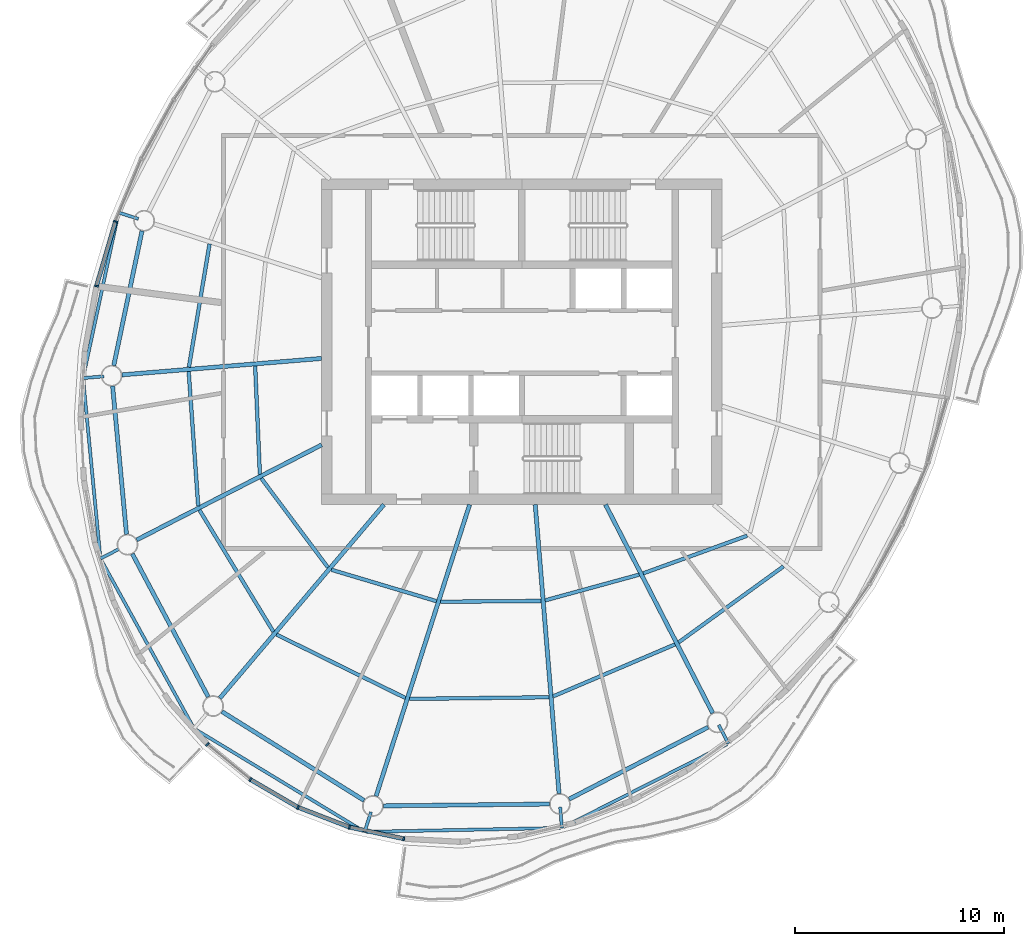
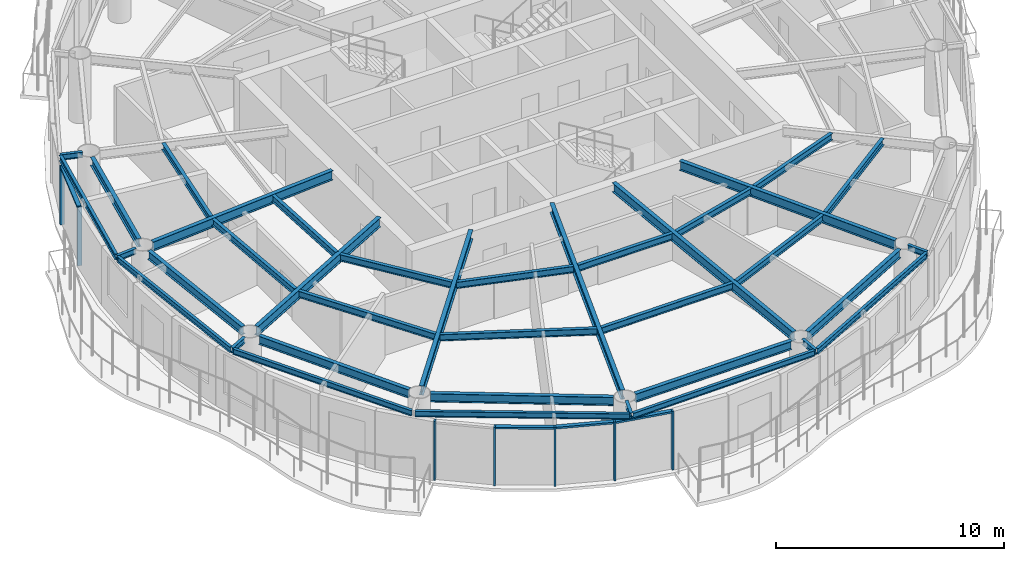
# One storey, part 2 of 13: 37 beams, 11 members, 5 elements without a shape of their own.
"""IFC4 building model written with IfcOpenShell, lengths in metres."""

from ifc_helpers import new_model, si_unit, direction, frame, origin, origin_2d, place, context, subcontext, project, spatial, rectangle, i_section, extrude, material, material_profile, profile_set, type_object, element, aggregate, save


model = new_model("IFC4")

# Units and contexts
model_context = context("Model", 3, precision=1e-05, world=origin(), true_north=direction((0.0, 1.0)))
body_context = subcontext(model_context, "Body", "Model", "MODEL_VIEW")
ifc_project = project(units=[si_unit("LENGTHUNIT", "METRE"), si_unit("AREAUNIT", "SQUARE_METRE"), si_unit("VOLUMEUNIT", "CUBIC_METRE"), si_unit("PLANEANGLEUNIT", "RADIAN"), si_unit("MASSUNIT", "GRAM", prefix="KILO")], contexts=[model_context])

# Site, building, storey
site_placement = place(None, origin())
site = spatial("IfcSite", under=ifc_project, at=site_placement, CompositionType="ELEMENT")
building_placement = place(site_placement, origin())
building = spatial("IfcBuilding", under=site, at=building_placement, Name="Vermilion Reach Broadcast Tower", CompositionType="ELEMENT")
storey_placement = place(building_placement, frame((0.0, 0.0, 290.10009765625)))
storey = spatial("IfcBuildingStorey", under=building, at=storey_placement, Name="L72", CompositionType="ELEMENT", Elevation=290.10009765625)

# Beams
ifc_material_1 = material(Name="Steel S355J2", Category="steel")
ifc_material_profile_1 = material_profile(ifc_material_1, i_section(OverallWidth=0.14990234375, OverallDepth=0.300048828125, WebThickness=0.006591796875, FlangeThickness=0.009033203125, at=origin_2d()), Name="S355J2 HN 300x150x6.5x9")
ifc_profile_set_1 = profile_set([ifc_material_profile_1], Name="Steel S355J2")
beam_type_1 = type_object("IfcBeamType", Name="EB5 HN 300x150x6.5x9", PredefinedType="BEAM", material=ifc_profile_set_1)
beam_1_placement = place(storey_placement, frame((-25.348876953125, 6.129638671875, 3.2998046875), z_axis=(-0.209851505921, -0.977733269078, 0.0), x_axis=(0.977733269078, -0.209851505921, 0.0)))
element("IfcBeam", 1, at=beam_1_placement, inside=storey, type_object=beam_type_1, Name="Edge beam EB5-05", PredefinedType="BEAM", context=body_context, shape_type="SweptSolid", body=[
    extrude(i_section(OverallWidth=0.14990234375, OverallDepth=0.300048828125, WebThickness=0.006591796875, FlangeThickness=0.009033203125, at=origin_2d()), origin(), (0.0, 0.0, 1.0), 7.96337890625),
])
beam_2_placement = place(storey_placement, frame((-27.029052734375, -1.807861328125, 3.2998046875), z_axis=(0.095933067862, -0.995387786991, 0.0), x_axis=(0.995387786991, 0.095933067862, 0.0)))
element("IfcBeam", 2, at=beam_2_placement, inside=storey, type_object=beam_type_1, Name="Edge beam EB5-06", PredefinedType="BEAM", context=body_context, shape_type="SweptSolid", body=[
    extrude(i_section(OverallWidth=0.14990234375, OverallDepth=0.300048828125, WebThickness=0.006591796875, FlangeThickness=0.009033203125, at=origin_2d()), origin(), (0.0, 0.0, 1.0), 8.5380859375),
])
beam_3_placement = place(storey_placement, frame((-26.166015625, -10.45263671875, 3.2998046875), z_axis=(0.482546675149, -0.875870256546, 0.0), x_axis=(0.875870256546, 0.482546675149, 0.0)))
element("IfcBeam", 3, at=beam_3_placement, inside=storey, type_object=beam_type_1, Name="Edge beam EB5-07", PredefinedType="BEAM", context=body_context, shape_type="SweptSolid", body=[
    extrude(i_section(OverallWidth=0.14990234375, OverallDepth=0.300048828125, WebThickness=0.006591796875, FlangeThickness=0.009033203125, at=origin_2d()), origin(), (0.0, 0.0, 1.0), 9.1474609375),
])
beam_4_placement = place(storey_placement, frame((-21.648193359375, -18.57421875, 3.2998046875), z_axis=(0.855309714799, -0.51811706377, 0.0), x_axis=(0.51811706377, 0.855309714799, 0.0)))
element("IfcBeam", 4, at=beam_4_placement, inside=storey, type_object=beam_type_1, Name="Edge beam EB5-08", PredefinedType="BEAM", context=body_context, shape_type="SweptSolid", body=[
    extrude(i_section(OverallWidth=0.14990234375, OverallDepth=0.300048828125, WebThickness=0.006591796875, FlangeThickness=0.009033203125, at=origin_2d()), origin(), (0.0, 0.0, 1.0), 9.40673828125),
])
beam_5_placement = place(storey_placement, frame((-13.457275390625, -23.486328125, 3.2998046875), z_axis=(0.999802674482, 0.01986484579, 0.0), x_axis=(-0.01986484579, 0.999802674482, 0.0)))
element("IfcBeam", 5, at=beam_5_placement, inside=storey, type_object=beam_type_1, Name="Edge beam EB5-09", PredefinedType="BEAM", context=body_context, shape_type="SweptSolid", body=[
    extrude(i_section(OverallWidth=0.14990234375, OverallDepth=0.300048828125, WebThickness=0.006591796875, FlangeThickness=0.009033203125, at=origin_2d()), origin(), (0.0, 0.0, 1.0), 9.3037109375),
])
beam_6_placement = place(storey_placement, frame((-4.008056640625, -23.263427734375, 3.2998046875), z_axis=(0.891880011137, 0.452272092588, 0.0), x_axis=(-0.452272092588, 0.891880011137, 0.0)))
element("IfcBeam", 6, at=beam_6_placement, inside=storey, type_object=beam_type_1, Name="Edge beam EB5-10", PredefinedType="BEAM", context=body_context, shape_type="SweptSolid", body=[
    extrude(i_section(OverallWidth=0.14990234375, OverallDepth=0.300048828125, WebThickness=0.006591796875, FlangeThickness=0.009033203125, at=origin_2d()), origin(), (0.0, 0.0, 1.0), 8.790771484375),
])
ifc_material_2 = material(Name="Steel S355J2", Category="steel")
ifc_material_profile_2 = material_profile(ifc_material_2, i_section(OverallWidth=0.199951171875, OverallDepth=0.5, WebThickness=0.010009765625, FlangeThickness=0.01611328125, at=origin_2d()), Name="S355J2 HN 500x200x10x16")
ifc_profile_set_2 = profile_set([ifc_material_profile_2], Name="Steel S355J2")
beam_type_2 = type_object("IfcBeamType", Name="G5 HN 500x200x10x16", PredefinedType="BEAM", material=ifc_profile_set_2)
beam_7_placement = place(storey_placement, frame((-15.60009765625, -0.791015625, 3.199951171875), z_axis=(-0.996624410075, -0.082096195058, 0.0), x_axis=(0.082096195058, -0.996624410075, 0.0)))
element("IfcBeam", 7, at=beam_7_placement, inside=storey, type_object=beam_type_2, Name="Girder G5-06", PredefinedType="BEAM", context=body_context, shape_type="SweptSolid", body=[
    extrude(i_section(OverallWidth=0.199951171875, OverallDepth=0.5, WebThickness=0.010009765625, FlangeThickness=0.01611328125, at=origin_2d()), origin(), (0.0, 0.0, 1.0), 9.599609375),
])
beam_8_placement = place(storey_placement, frame((-15.60009765625, -4.935791015625, 3.199951171875), z_axis=(-0.889332502449, -0.457261085254, 0.0), x_axis=(0.457261085254, -0.889332502449, 0.0)))
element("IfcBeam", 8, at=beam_8_placement, inside=storey, type_object=beam_type_2, Name="Girder G5-07", PredefinedType="BEAM", context=body_context, shape_type="SweptSolid", body=[
    extrude(i_section(OverallWidth=0.199951171875, OverallDepth=0.5, WebThickness=0.010009765625, FlangeThickness=0.01611328125, at=origin_2d()), origin(), (0.0, 0.0, 1.0), 9.96337890625),
])
beam_9_placement = place(storey_placement, frame((-12.612548828125, -7.800048828125, 3.199951171875), z_axis=(-0.646658335602, -0.762779782766, 0.0), x_axis=(0.762779782766, -0.646658335602, 0.0)))
element("IfcBeam", 9, at=beam_9_placement, inside=storey, type_object=beam_type_2, Name="Girder G5-08", PredefinedType="BEAM", context=body_context, shape_type="SweptSolid", body=[
    extrude(i_section(OverallWidth=0.199951171875, OverallDepth=0.5, WebThickness=0.010009765625, FlangeThickness=0.01611328125, at=origin_2d()), origin(), (0.0, 0.0, 1.0), 12.16064453125),
])
beam_10_placement = place(storey_placement, frame((-8.502685546875, -7.800048828125, 3.199951171875), z_axis=(-0.305545401295, -0.952177508528, 0.0), x_axis=(0.952177508528, -0.305545401295, 0.0)))
element("IfcBeam", 10, at=beam_10_placement, inside=storey, type_object=beam_type_2, Name="Girder G5-09", PredefinedType="BEAM", context=body_context, shape_type="SweptSolid", body=[
    extrude(i_section(OverallWidth=0.199951171875, OverallDepth=0.5, WebThickness=0.010009765625, FlangeThickness=0.01611328125, at=origin_2d()), origin(), (0.0, 0.0, 1.0), 14.672607421875),
])
beam_11_placement = place(storey_placement, frame((-5.357421875, -7.800048828125, 3.199951171875), z_axis=(0.082123744247, -0.996622140347, 0.0), x_axis=(0.996622140347, 0.082123744247, 0.0)))
element("IfcBeam", 11, at=beam_11_placement, inside=storey, type_object=beam_type_2, Name="Girder G5-10", PredefinedType="BEAM", context=body_context, shape_type="SweptSolid", body=[
    extrude(i_section(OverallWidth=0.199951171875, OverallDepth=0.5, WebThickness=0.010009765625, FlangeThickness=0.01611328125, at=origin_2d()), origin(), (0.0, 0.0, 1.0), 13.89794921875),
])
beam_12_placement = place(storey_placement, frame((-1.989501953125, -7.800048828125, 3.199951171875), z_axis=(0.457258168112, -0.889334002327, 0.0), x_axis=(0.889334002327, 0.457258168112, 0.0)))
element("IfcBeam", 12, at=beam_12_placement, inside=storey, type_object=beam_type_2, Name="Girder G5-11", PredefinedType="BEAM", context=body_context, shape_type="SweptSolid", body=[
    extrude(i_section(OverallWidth=0.199951171875, OverallDepth=0.5, WebThickness=0.010009765625, FlangeThickness=0.01611328125, at=origin_2d()), origin(), (0.0, 0.0, 1.0), 11.236328125),
])
ifc_material_3 = material(Name="Steel S355J2", Category="steel")
ifc_material_profile_3 = material_profile(ifc_material_3, i_section(OverallWidth=0.14990234375, OverallDepth=0.300048828125, WebThickness=0.006591796875, FlangeThickness=0.009033203125, at=origin_2d()), Name="S355J2 HN 300x150x6.5x9")
ifc_profile_set_3 = profile_set([ifc_material_profile_3], Name="Steel S355J2")
beam_type_3 = type_object("IfcBeamType", Name="GS5 HN 300x150x6.5x9", PredefinedType="BEAM", material=ifc_profile_set_3)
for number, where, z_axis, x_axis, name in (
    (13, (-24.380859375, 5.89794921875, 3.2998046875), (-0.952211297084, 0.305440085295, 0.0), (-0.305440085295, -0.952211297084, 0.0), "Cantilever stub GS5-05"),
    (14, (-26.039794921875, -1.651123046875, 3.2998046875), (-0.996629436565, -0.082035152054, 0.0), (0.082035152054, -0.996629436565, 0.0), "Cantilever stub GS5-06"),
):
    element("IfcBeam", number, at=place(storey_placement, frame(where, z_axis=z_axis, x_axis=x_axis)), inside=storey, type_object=beam_type_3, Name=name, PredefinedType="BEAM", context=body_context, shape_type="SweptSolid", body=[
        extrude(i_section(OverallWidth=0.14990234375, OverallDepth=0.300048828125, WebThickness=0.006591796875, FlangeThickness=0.009033203125, at=origin_2d()), origin(), (0.0, 0.0, 1.0), 1.0),
    ])
beam_13_placement = place(storey_placement, frame((-25.31298828125, -9.9296875, 3.2998046875), z_axis=(-0.889290639729, -0.457342495391, 0.0), x_axis=(0.457342495391, -0.889290639729, 0.0)))
element("IfcBeam", 15, at=beam_13_placement, inside=storey, type_object=beam_type_3, Name="Cantilever stub GS5-07", PredefinedType="BEAM", context=body_context, shape_type="SweptSolid", body=[
    extrude(i_section(OverallWidth=0.14990234375, OverallDepth=0.300048828125, WebThickness=0.006591796875, FlangeThickness=0.009033203125, at=origin_2d()), origin(), (0.0, 0.0, 1.0), 0.999755859375),
])
beam_14_placement = place(storey_placement, frame((-13.231201171875, -22.53564453125, 3.2998046875), z_axis=(-0.305369089551, -0.952234067416, 0.0), x_axis=(0.952234067416, -0.305369089551, 0.0)))
element("IfcBeam", 16, at=beam_14_placement, inside=storey, type_object=beam_type_3, Name="Cantilever stub GS5-09", PredefinedType="BEAM", context=body_context, shape_type="SweptSolid", body=[
    extrude(i_section(OverallWidth=0.14990234375, OverallDepth=0.300048828125, WebThickness=0.006591796875, FlangeThickness=0.009033203125, at=origin_2d()), origin(), (0.0, 0.0, 1.0), 1.000244140625),
])
for number, where, z_axis, x_axis, name in (
    (17, (-4.162353515625, -22.303466796875, 3.2998046875), (0.082035152054, -0.996629436565, 0.0), (0.996629436565, 0.082035152054, 0.0), "Cantilever stub GS5-10"),
    (18, (3.442138671875, -18.3642578125, 3.2998046875), (0.457050088444, -0.889440957373, 0.0), (0.889440957373, 0.457050088444, 0.0), "Cantilever stub GS5-11"),
):
    element("IfcBeam", number, at=place(storey_placement, frame(where, z_axis=z_axis, x_axis=x_axis)), inside=storey, type_object=beam_type_3, Name=name, PredefinedType="BEAM", context=body_context, shape_type="SweptSolid", body=[
        extrude(i_section(OverallWidth=0.14990234375, OverallDepth=0.300048828125, WebThickness=0.006591796875, FlangeThickness=0.009033203125, at=origin_2d()), origin(), (0.0, 0.0, 1.0), 1.0),
    ])
ifc_material_4 = material(Name="Steel S355J2", Category="steel")
ifc_material_profile_4 = material_profile(ifc_material_4, i_section(OverallWidth=0.199951171875, OverallDepth=0.449951171875, WebThickness=0.009033203125, FlangeThickness=0.013916015625, at=origin_2d()), Name="S355J2 HN 450x200x9x14")
ifc_profile_set_4 = profile_set([ifc_material_profile_4], Name="Steel S355J2")
beam_type_4 = type_object("IfcBeamType", Name="RB5 HN 450x200x9x14", PredefinedType="BEAM", material=ifc_profile_set_4)
beam_15_placement = place(storey_placement, frame((-24.208740234375, 5.3203125, 3.224853515625), z_axis=(-0.205444869285, -0.978668690459, 0.0), x_axis=(0.978668690459, -0.205444869285, 0.0)))
element("IfcBeam", 19, at=beam_15_placement, inside=storey, type_object=beam_type_4, Name="Ring beam RB5-05", PredefinedType="BEAM", context=body_context, shape_type="SweptSolid", body=[
    extrude(i_section(OverallWidth=0.199951171875, OverallDepth=0.449951171875, WebThickness=0.009033203125, FlangeThickness=0.013916015625, at=origin_2d()), origin(), (0.0, 0.0, 1.0), 6.591796875),
])
beam_16_placement = place(storey_placement, frame((-25.618896484375, -2.1181640625, 3.224853515625), z_axis=(0.093441399272, -0.995624781181, 0.0), x_axis=(0.995624781181, 0.093441399272, 0.0)))
element("IfcBeam", 20, at=beam_16_placement, inside=storey, type_object=beam_type_4, Name="Ring beam RB5-06", PredefinedType="BEAM", context=body_context, shape_type="SweptSolid", body=[
    extrude(i_section(OverallWidth=0.199951171875, OverallDepth=0.449951171875, WebThickness=0.009033203125, FlangeThickness=0.013916015625, at=origin_2d()), origin(), (0.0, 0.0, 1.0), 7.135498046875),
])
beam_17_placement = place(storey_placement, frame((-24.671142578125, -10.161865234375, 3.224853515625), z_axis=(0.468767917375, -0.883321368269, 0.0), x_axis=(0.883321368269, 0.468767917375, 0.0)))
element("IfcBeam", 21, at=beam_17_placement, inside=storey, type_object=beam_type_4, Name="Ring beam RB5-07", PredefinedType="BEAM", context=body_context, shape_type="SweptSolid", body=[
    extrude(i_section(OverallWidth=0.199951171875, OverallDepth=0.449951171875, WebThickness=0.009033203125, FlangeThickness=0.013916015625, at=origin_2d()), origin(), (0.0, 0.0, 1.0), 7.759033203125),
])
beam_18_placement = place(storey_placement, frame((-20.375732421875, -17.722412109375, 3.224853515625), z_axis=(0.847914653245, -0.530132757724, 0.0), x_axis=(0.530132757724, 0.847914653245, 0.0)))
element("IfcBeam", 22, at=beam_18_placement, inside=storey, type_object=beam_type_4, Name="Ring beam RB5-08", PredefinedType="BEAM", context=body_context, shape_type="SweptSolid", body=[
    extrude(i_section(OverallWidth=0.199951171875, OverallDepth=0.449951171875, WebThickness=0.009033203125, FlangeThickness=0.013916015625, at=origin_2d()), origin(), (0.0, 0.0, 1.0), 8.035400390625),
])
beam_19_placement = place(storey_placement, frame((-12.638427734375, -22.24169921875, 3.224853515625), z_axis=(0.999940445231, 0.010913569149, 0.0), x_axis=(-0.010913569149, 0.999940445231, 0.0)))
element("IfcBeam", 23, at=beam_19_placement, inside=storey, type_object=beam_type_4, Name="Ring beam RB5-09", PredefinedType="BEAM", context=body_context, shape_type="SweptSolid", body=[
    extrude(i_section(OverallWidth=0.199951171875, OverallDepth=0.449951171875, WebThickness=0.009033203125, FlangeThickness=0.013916015625, at=origin_2d()), origin(), (0.0, 0.0, 1.0), 7.9638671875),
])
beam_20_placement = place(storey_placement, frame((-3.731201171875, -21.91943359375, 3.224853515625), z_axis=(0.887960248279, 0.459920207729, 0.0), x_axis=(-0.459920207729, 0.887960248279, 0.0)))
element("IfcBeam", 24, at=beam_20_placement, inside=storey, type_object=beam_type_4, Name="Ring beam RB5-10", PredefinedType="BEAM", context=body_context, shape_type="SweptSolid", body=[
    extrude(i_section(OverallWidth=0.199951171875, OverallDepth=0.449951171875, WebThickness=0.009033203125, FlangeThickness=0.013916015625, at=origin_2d()), origin(), (0.0, 0.0, 1.0), 7.5048828125),
])
ifc_material_5 = material(Name="Steel S355J2", Category="steel")
ifc_material_profile_5 = material_profile(ifc_material_5, i_section(OverallWidth=0.175048828125, OverallDepth=0.35009765625, WebThickness=0.007080078125, FlangeThickness=0.010986328125, at=origin_2d()), Name="S355J2 HN 350x175x7x11")
ifc_profile_set_5 = profile_set([ifc_material_profile_5], Name="Steel S355J2")
beam_type_5 = type_object("IfcBeamType", Name="SB5 HN 350x175x7x11", PredefinedType="BEAM", material=ifc_profile_set_5)
beam_21_placement = place(storey_placement, frame((-20.969970703125, 4.698486328125, 3.27490234375), z_axis=(-0.16532337011, -0.986239414795, 0.0), x_axis=(0.986239414795, -0.16532337011, 0.0)))
element("IfcBeam", 25, at=beam_21_placement, inside=storey, type_object=beam_type_5, Name="Secondary beam SB5-05-2", PredefinedType="BEAM", context=body_context, shape_type="SweptSolid", body=[
    extrude(i_section(OverallWidth=0.175048828125, OverallDepth=0.35009765625, WebThickness=0.007080078125, FlangeThickness=0.010986328125, at=origin_2d()), origin(), (0.0, 0.0, 1.0), 5.99560546875),
])
beam_22_placement = place(storey_placement, frame((-18.78466796875, -1.153564453125, 3.27490234375), z_axis=(0.043557530017, -0.999050920413, 0.0), x_axis=(0.999050920413, 0.043557530017, 0.0)))
element("IfcBeam", 26, at=beam_22_placement, inside=storey, type_object=beam_type_5, Name="Secondary beam SB5-06-1", PredefinedType="BEAM", context=body_context, shape_type="SweptSolid", body=[
    extrude(i_section(OverallWidth=0.175048828125, OverallDepth=0.35009765625, WebThickness=0.007080078125, FlangeThickness=0.010986328125, at=origin_2d()), origin(), (0.0, 0.0, 1.0), 5.19580078125),
])
beam_23_placement = place(storey_placement, frame((-21.97119140625, -1.416259765625, 3.27490234375), z_axis=(0.070586780458, -0.997505642302, 0.0), x_axis=(0.997505642302, 0.070586780458, 0.0)))
element("IfcBeam", 27, at=beam_23_placement, inside=storey, type_object=beam_type_5, Name="Secondary beam SB5-06-2", PredefinedType="BEAM", context=body_context, shape_type="SweptSolid", body=[
    extrude(i_section(OverallWidth=0.175048828125, OverallDepth=0.35009765625, WebThickness=0.007080078125, FlangeThickness=0.010986328125, at=origin_2d()), origin(), (0.0, 0.0, 1.0), 6.46435546875),
])
beam_24_placement = place(storey_placement, frame((-18.492919921875, -6.53564453125, 3.27490234375), z_axis=(0.599055582645, -0.800707442767, 0.0), x_axis=(0.800707442767, 0.599055582645, 0.0)))
element("IfcBeam", 28, at=beam_24_placement, inside=storey, type_object=beam_type_5, Name="Secondary beam SB5-07-1", PredefinedType="BEAM", context=body_context, shape_type="SweptSolid", body=[
    extrude(i_section(OverallWidth=0.175048828125, OverallDepth=0.35009765625, WebThickness=0.007080078125, FlangeThickness=0.010986328125, at=origin_2d()), origin(), (0.0, 0.0, 1.0), 5.337890625),
])
beam_25_placement = place(storey_placement, frame((-21.455078125, -8.058837890625, 3.27490234375), z_axis=(0.519272962556, -0.854608442714, 0.0), x_axis=(0.854608442714, 0.519272962556, 0.0)))
element("IfcBeam", 29, at=beam_25_placement, inside=storey, type_object=beam_type_5, Name="Secondary beam SB5-07-2", PredefinedType="BEAM", context=body_context, shape_type="SweptSolid", body=[
    extrude(i_section(OverallWidth=0.175048828125, OverallDepth=0.35009765625, WebThickness=0.007080078125, FlangeThickness=0.010986328125, at=origin_2d()), origin(), (0.0, 0.0, 1.0), 6.82763671875),
])
beam_26_placement = place(storey_placement, frame((-15.129150390625, -10.92333984375, 3.27490234375), z_axis=(0.958124906971, -0.286350593925, 0.0), x_axis=(0.286350593925, 0.958124906971, 0.0)))
element("IfcBeam", 30, at=beam_26_placement, inside=storey, type_object=beam_type_5, Name="Secondary beam SB5-08-1", PredefinedType="BEAM", context=body_context, shape_type="SweptSolid", body=[
    extrude(i_section(OverallWidth=0.175048828125, OverallDepth=0.35009765625, WebThickness=0.007080078125, FlangeThickness=0.010986328125, at=origin_2d()), origin(), (0.0, 0.0, 1.0), 5.25634765625),
])
beam_27_placement = place(storey_placement, frame((-17.762451171875, -14.029541015625, 3.27490234375), z_axis=(0.897335928087, -0.441348198325, 0.0), x_axis=(0.441348198325, 0.897335928087, 0.0)))
element("IfcBeam", 31, at=beam_27_placement, inside=storey, type_object=beam_type_5, Name="Secondary beam SB5-08-2", PredefinedType="BEAM", context=body_context, shape_type="SweptSolid", body=[
    extrude(i_section(OverallWidth=0.175048828125, OverallDepth=0.35009765625, WebThickness=0.007080078125, FlangeThickness=0.010986328125, at=origin_2d()), origin(), (0.0, 0.0, 1.0), 6.887451171875),
])
beam_28_placement = place(storey_placement, frame((-9.891845703125, -12.4560546875, 3.27490234375), z_axis=(0.999968312294, 0.007960804474, 0.0), x_axis=(-0.007960804474, 0.999968312294, 0.0)))
element("IfcBeam", 32, at=beam_28_placement, inside=storey, type_object=beam_type_5, Name="Secondary beam SB5-09-1", PredefinedType="BEAM", context=body_context, shape_type="SweptSolid", body=[
    extrude(i_section(OverallWidth=0.175048828125, OverallDepth=0.35009765625, WebThickness=0.007080078125, FlangeThickness=0.010986328125, at=origin_2d()), origin(), (0.0, 0.0, 1.0), 4.81494140625),
])
beam_29_placement = place(storey_placement, frame((-11.385986328125, -17.11279296875, 3.27490234375), z_axis=(0.999932654133, 0.011605481368, 0.0), x_axis=(-0.011605481368, 0.999932654133, 0.0)))
element("IfcBeam", 33, at=beam_29_placement, inside=storey, type_object=beam_type_5, Name="Secondary beam SB5-09-2", PredefinedType="BEAM", context=body_context, shape_type="SweptSolid", body=[
    extrude(i_section(OverallWidth=0.175048828125, OverallDepth=0.35009765625, WebThickness=0.007080078125, FlangeThickness=0.010986328125, at=origin_2d()), origin(), (0.0, 0.0, 1.0), 6.689697265625),
])
beam_30_placement = place(storey_placement, frame((-4.87890625, -12.39013671875, 3.27490234375), z_axis=(0.964547496851, 0.263909314573, 0.0), x_axis=(-0.263909314573, 0.964547496851, 0.0)))
element("IfcBeam", 34, at=beam_30_placement, inside=storey, type_object=beam_type_5, Name="Secondary beam SB5-10-1", PredefinedType="BEAM", context=body_context, shape_type="SweptSolid", body=[
    extrude(i_section(OverallWidth=0.175048828125, OverallDepth=0.35009765625, WebThickness=0.007080078125, FlangeThickness=0.010986328125, at=origin_2d()), origin(), (0.0, 0.0, 1.0), 4.6689453125),
])
beam_31_placement = place(storey_placement, frame((-4.49951171875, -16.99267578125, 3.27490234375), z_axis=(0.919880986172, 0.392197617637, 0.0), x_axis=(-0.392197617637, 0.919880986172, 0.0)))
element("IfcBeam", 35, at=beam_31_placement, inside=storey, type_object=beam_type_5, Name="Secondary beam SB5-10-2", PredefinedType="BEAM", context=body_context, shape_type="SweptSolid", body=[
    extrude(i_section(OverallWidth=0.175048828125, OverallDepth=0.35009765625, WebThickness=0.007080078125, FlangeThickness=0.010986328125, at=origin_2d()), origin(), (0.0, 0.0, 1.0), 6.351806640625),
])
beam_32_placement = place(storey_placement, frame((-0.18212890625, -11.0966796875, 3.27490234375), z_axis=(0.940220108875, 0.340567389613, 0.0), x_axis=(-0.340567389613, 0.940220108875, 0.0)))
element("IfcBeam", 36, at=beam_32_placement, inside=storey, type_object=beam_type_5, Name="Secondary beam SB5-11-1", PredefinedType="BEAM", context=body_context, shape_type="SweptSolid", body=[
    extrude(i_section(OverallWidth=0.175048828125, OverallDepth=0.35009765625, WebThickness=0.007080078125, FlangeThickness=0.010986328125, at=origin_2d()), origin(), (0.0, 0.0, 1.0), 5.303466796875),
])
beam_33_placement = place(storey_placement, frame((1.517578125, -14.402587890625, 3.27490234375), z_axis=(0.809771251518, 0.586745703192, 0.0), x_axis=(-0.586745703192, 0.809771251518, 0.0)))
element("IfcBeam", 37, at=beam_33_placement, inside=storey, type_object=beam_type_5, Name="Secondary beam SB5-11-2", PredefinedType="BEAM", context=body_context, shape_type="SweptSolid", body=[
    extrude(i_section(OverallWidth=0.175048828125, OverallDepth=0.35009765625, WebThickness=0.007080078125, FlangeThickness=0.010986328125, at=origin_2d()), origin(), (0.0, 0.0, 1.0), 6.20361328125),
])

# Curtain wall, members
ifc_material_6 = material(Name="Low-e laminated clear glass in aluminium frame", Category="aluminium")
curtain_wall_type = type_object("IfcCurtainWallType", Name="Slot curtain wall", PredefinedType="NOTDEFINED", material=ifc_material_6)
placement = place(storey_placement, origin())
curtain_wall_1 = element("IfcCurtainWall", 38, at=placement, inside=storey, type_object=curtain_wall_type, Name="Slot curtain wall L72 13", PredefinedType="NOTDEFINED")
ifc_material_7 = material(Name="Anodised aluminium", Category="aluminium")
ifc_material_profile_6 = material_profile(ifc_material_7, rectangle(XDim=0.199951171875, YDim=0.080078125, at=origin_2d()), Name="Slot mullion 80 x 200")
ifc_profile_set_6 = profile_set([ifc_material_profile_6], Name="Anodised aluminium")
member_type_1 = type_object("IfcMemberType", Name="Slot mullion 80 x 200", PredefinedType="MULLION", material=ifc_profile_set_6)
member_1_placement = place(storey_placement, frame((-25.480224609375, 5.773681640625, 0.0), z_axis=(0.0, 0.0, 1.0), x_axis=(0.942559418153, -0.334038535578, 0.0)))
member_1 = element("IfcMember", 39, at=member_1_placement, type_object=member_type_1, Name="Slot mullion L72 13", PredefinedType="MULLION", context=body_context, shape_type="SweptSolid", body=[
    extrude(rectangle(XDim=0.199951171875, YDim=0.080078125, at=origin_2d()), origin(), (0.0, 0.0, 1.0), 3.14990234375),
])
member_2_placement = place(storey_placement, frame((-26.3916015625, 2.680908203125, 0.0), z_axis=(0.0, 0.0, 1.0), x_axis=(0.973263009296, -0.229693523496, 0.0)))
member_2 = element("IfcMember", 40, at=member_2_placement, type_object=member_type_1, Name="Slot mullion L72 14", PredefinedType="MULLION", context=body_context, shape_type="SweptSolid", body=[
    extrude(rectangle(XDim=0.199951171875, YDim=0.080078125, at=origin_2d()), origin(), (0.0, 0.0, 1.0), 3.14990234375),
])

# Curtain wall, member
curtain_wall_2 = element("IfcCurtainWall", 41, at=placement, inside=storey, type_object=curtain_wall_type, Name="Slot curtain wall L72 22", PredefinedType="NOTDEFINED")
member_3_placement = place(storey_placement, frame((-21.0693359375, -19.292236328125, 0.0), z_axis=(0.0, 0.0, 1.0), x_axis=(0.691557277499, 0.722321626381, 0.0)))
member_3 = element("IfcMember", 42, at=member_3_placement, type_object=member_type_1, Name="Slot mullion L72 22", PredefinedType="MULLION", context=body_context, shape_type="SweptSolid", body=[
    extrude(rectangle(XDim=0.199951171875, YDim=0.080078125, at=origin_2d()), origin(), (0.0, 0.0, 1.0), 3.14990234375),
])
aggregate(curtain_wall_2, [member_3])

curtain_wall_3 = element("IfcCurtainWall", 43, at=placement, inside=storey, type_object=curtain_wall_type, Name="Slot curtain wall L72 23", PredefinedType="NOTDEFINED")
member_4_placement = place(storey_placement, frame((-19.009033203125, -20.980224609375, 0.0), z_axis=(0.0, 0.0, 1.0), x_axis=(0.570554797034, 0.82125953485, 0.0)))
member_4 = element("IfcMember", 44, at=member_4_placement, type_object=member_type_1, Name="Slot mullion L72 23", PredefinedType="MULLION", context=body_context, shape_type="SweptSolid", body=[
    extrude(rectangle(XDim=0.199951171875, YDim=0.080078125, at=origin_2d()), origin(), (0.0, 0.0, 1.0), 3.14990234375),
])

curtain_wall_4 = element("IfcCurtainWall", 45, at=placement, inside=storey, type_object=curtain_wall_type, Name="Slot curtain wall L72 24", PredefinedType="NOTDEFINED")
member_5_placement = place(storey_placement, frame((-16.727783203125, -22.310791015625, 0.0), z_axis=(0.0, 0.0, 1.0), x_axis=(0.433344608745, 0.901228300749, 0.0)))
member_5 = element("IfcMember", 46, at=member_5_placement, type_object=member_type_1, Name="Slot mullion L72 24", PredefinedType="MULLION", context=body_context, shape_type="SweptSolid", body=[
    extrude(rectangle(XDim=0.199951171875, YDim=0.080078125, at=origin_2d()), origin(), (0.0, 0.0, 1.0), 3.14990234375),
])

# Curtain wall, members
curtain_wall_5 = element("IfcCurtainWall", 47, at=placement, inside=storey, type_object=curtain_wall_type, Name="Slot curtain wall L72 25", PredefinedType="NOTDEFINED")
member_6_placement = place(storey_placement, frame((-14.26416015625, -23.26171875, 0.0), z_axis=(0.0, 0.0, 1.0), x_axis=(0.28520461729, 0.958466653711, 0.0)))
member_6 = element("IfcMember", 48, at=member_6_placement, type_object=member_type_1, Name="Slot mullion L72 25", PredefinedType="MULLION", context=body_context, shape_type="SweptSolid", body=[
    extrude(rectangle(XDim=0.199951171875, YDim=0.080078125, at=origin_2d()), origin(), (0.0, 0.0, 1.0), 3.14990234375),
])
member_7_placement = place(storey_placement, frame((-11.6591796875, -23.817138671875, 0.0), z_axis=(0.0, 0.0, 1.0), x_axis=(0.132368772067, 0.991200538832, 0.0)))
member_7 = element("IfcMember", 49, at=member_7_placement, type_object=member_type_1, Name="Slot mullion L72 26", PredefinedType="MULLION", context=body_context, shape_type="SweptSolid", body=[
    extrude(rectangle(XDim=0.199951171875, YDim=0.080078125, at=origin_2d()), origin(), (0.0, 0.0, 1.0), 3.14990234375),
])

# Member
ifc_material_8 = material(Name="Anodised aluminium", Category="aluminium")
ifc_material_profile_7 = material_profile(ifc_material_8, rectangle(XDim=0.199951171875, YDim=0.10009765625, at=origin_2d()), Name="Slot transom 200 x 100")
ifc_profile_set_7 = profile_set([ifc_material_profile_7], Name="Anodised aluminium")
member_type_2 = type_object("IfcMemberType", Name="Slot transom 200 x 100", PredefinedType="USERDEFINED", material=ifc_profile_set_7)
member_8_placement = place(storey_placement, frame((-25.491455078125, 5.7353515625, 3.099853515625), z_axis=(-0.282700141482, -0.959208335038, 0.0), x_axis=(0.959208335038, -0.282700141482, 0.0)))
member_8 = element("IfcMember", 50, at=member_8_placement, type_object=member_type_2, Name="Slot transom L72 13.1", ObjectType="TRANSOM", PredefinedType="USERDEFINED", context=body_context, shape_type="SweptSolid", body=[
    extrude(rectangle(XDim=0.199951171875, YDim=0.10009765625, at=origin_2d()), origin(), (0.0, 0.0, 1.0), 3.144287109375),
])

aggregate(curtain_wall_1, [member_1, member_2, member_8])

member_9_placement = place(storey_placement, frame((-18.974365234375, -21.00048828125, 3.099853515625), z_axis=(0.86382039502, -0.503799886014, 0.0), x_axis=(0.503799886014, 0.86382039502, 0.0)))
member_9 = element("IfcMember", 51, at=member_9_placement, type_object=member_type_2, Name="Slot transom L72 23.1", ObjectType="TRANSOM", PredefinedType="USERDEFINED", context=body_context, shape_type="SweptSolid", body=[
    extrude(rectangle(XDim=0.199951171875, YDim=0.10009765625, at=origin_2d()), origin(), (0.0, 0.0, 1.0), 2.560546875),
])

aggregate(curtain_wall_3, [member_4, member_9])

member_10_placement = place(storey_placement, frame((-16.6904296875, -22.3251953125, 3.099853515625), z_axis=(0.932912453884, -0.360103253788, 0.0), x_axis=(0.360103253788, 0.932912453884, 0.0)))
member_10 = element("IfcMember", 52, at=member_10_placement, type_object=member_type_2, Name="Slot transom L72 24.1", ObjectType="TRANSOM", PredefinedType="USERDEFINED", context=body_context, shape_type="SweptSolid", body=[
    extrude(rectangle(XDim=0.199951171875, YDim=0.10009765625, at=origin_2d()), origin(), (0.0, 0.0, 1.0), 2.560791015625),
])

aggregate(curtain_wall_4, [member_5, member_10])

member_11_placement = place(storey_placement, frame((-14.22509765625, -23.27001953125, 3.099853515625), z_axis=(0.978012113443, -0.208548090277, 0.0), x_axis=(0.208548090277, 0.978012113443, 0.0)))
member_11 = element("IfcMember", 53, at=member_11_placement, type_object=member_type_2, Name="Slot transom L72 25.1", ObjectType="TRANSOM", PredefinedType="USERDEFINED", context=body_context, shape_type="SweptSolid", body=[
    extrude(rectangle(XDim=0.199951171875, YDim=0.10009765625, at=origin_2d()), origin(), (0.0, 0.0, 1.0), 2.583740234375),
])

aggregate(curtain_wall_5, [member_6, member_7, member_11])

save(model, "model.ifc")
